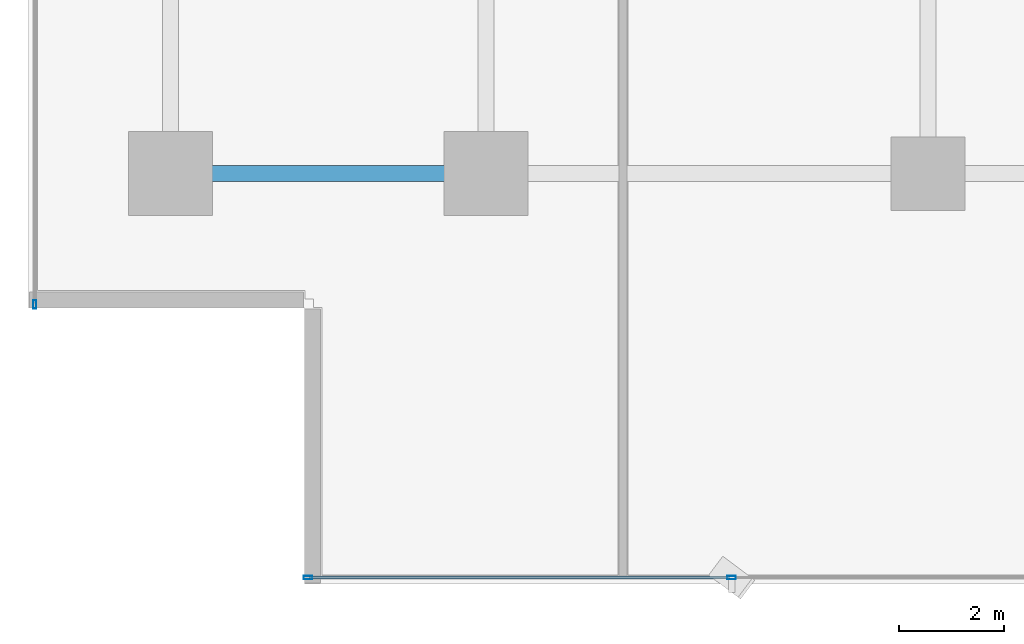
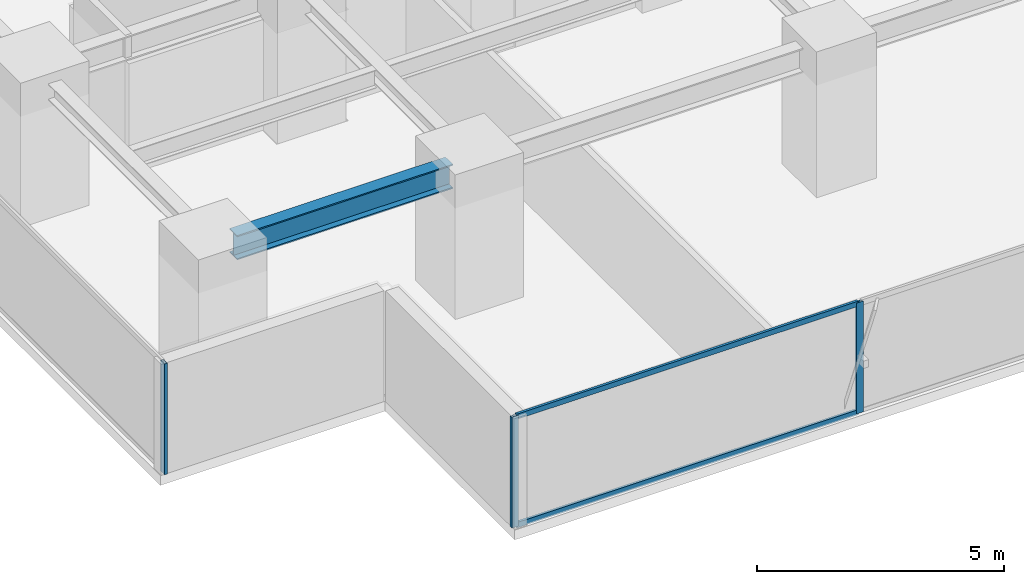
# One storey, part 2 of 36: 5 members, 1 beam, 2 elements without a shape of their own.
"""IFC4 building model written with IfcOpenShell, lengths in metres."""

from ifc_helpers import new_model, si_unit, direction, frame, origin, origin_2d, place, context, subcontext, project, spatial, hollow_rectangle, i_section, extrude, source, transform, mapped, material, layer, layer_set, material_profile, profile_set, type_object, element, aggregate, save


model = new_model("IFC4")

# Units and contexts
model_context = context("Model", 3, precision=1e-05, world=origin(), true_north=direction((0.0, 1.0)))
body_context = subcontext(model_context, "Body", "Model", "MODEL_VIEW")
ifc_project = project(units=[si_unit("LENGTHUNIT", "METRE"), si_unit("AREAUNIT", "SQUARE_METRE"), si_unit("VOLUMEUNIT", "CUBIC_METRE"), si_unit("PLANEANGLEUNIT", "RADIAN"), si_unit("MASSUNIT", "GRAM", prefix="KILO")], contexts=[model_context])

# Site, building, storey
site_placement = place(None, origin())
site = spatial("IfcSite", under=ifc_project, at=site_placement, CompositionType="ELEMENT")
building_placement = place(site_placement, origin())
building = spatial("IfcBuilding", under=site, at=building_placement, Name="Sumidabori Civic Tower", CompositionType="ELEMENT")
storey_placement = place(building_placement, frame((0.0, 0.0, 92.0)))
storey = spatial("IfcBuildingStorey", under=building, at=storey_placement, Name="L23", CompositionType="ELEMENT", Elevation=92.0)

# Beam
ifc_material_1 = material(Name="Steel SN490", Category="steel")
ifc_material_profile_1 = material_profile(ifc_material_1, i_section(OverallWidth=0.300048828125, OverallDepth=0.60009765625, WebThickness=0.015380859375, FlangeThickness=0.030029296875, at=origin_2d()), Name="HE 600 B")
ifc_profile_set_1 = profile_set([ifc_material_profile_1], Name="Steel SN490")
beam_type = type_object("IfcBeamType", Name="BM-GIRD-600", PredefinedType="BEAM", material=ifc_profile_set_1)
shared_shape_1 = source(origin(), body_context, "Body", "SweptSolid", [
    extrude(i_section(OverallWidth=0.300048828125, OverallDepth=0.60009765625, WebThickness=0.015380859375, FlangeThickness=0.030029296875, at=origin_2d()), origin(), (0.0, 0.0, 1.0), 5.0400390625),
])
beam_placement = place(storey_placement, frame((-22.320068359375, -18.0, 3.06005859375), z_axis=(1.0, 0.0, 0.0), x_axis=(0.0, 1.0, 0.0)))
element("IfcBeam", 1, at=beam_placement, inside=storey, type_object=beam_type, Name="Primary Girder L23 GX-01", PredefinedType="BEAM", context=body_context, shape_type="MappedRepresentation", body=[
    mapped(shared_shape_1, transform((0.0, 0.0, 0.0), x_axis=(1.0, 0.0, 0.0), y_axis=(0.0, 1.0, 0.0), z_axis=(0.0, 0.0, 1.0), scale=1.0)),
])

# Curtain wall, members
ifc_material_2 = material(Name="Anodised Bronze Aluminium AW-6063-T6", Category="aluminium")
ifc_layer = layer(ifc_material_2, 0.179931640625, Name="Anodised Bronze Aluminium AW-6063-T6")
ifc_layer_set = layer_set([ifc_layer], Name="Anodised Bronze Aluminium AW-6063-T6")
curtain_wall_type = type_object("IfcCurtainWallType", Name="CW-SYS-3", PredefinedType="NOTDEFINED", material=ifc_layer_set)
curtain_wall_1_placement = place(storey_placement, origin())
curtain_wall_1 = element("IfcCurtainWall", 2, at=curtain_wall_1_placement, inside=storey, type_object=curtain_wall_type, Name="Curtain Wall CW:L23:R01", PredefinedType="NOTDEFINED")
ifc_material_profile_2 = material_profile(ifc_material_2, hollow_rectangle(XDim=0.06494140625, YDim=0.159912109375, WallThickness=0.0048828125, at=origin_2d()), Name="ALU MULLION 160x65")
ifc_profile_set_2 = profile_set([ifc_material_profile_2], Name="Anodised Bronze Aluminium AW-6063-T6")
member_type_1 = type_object("IfcMemberType", Name="CW-MUL-160", PredefinedType="MULLION", material=ifc_profile_set_2)
shared_shape_2 = source(origin(), body_context, "Body", "SweptSolid", [
    extrude(hollow_rectangle(XDim=0.06494140625, YDim=0.159912109375, WallThickness=0.0048828125, at=origin_2d()), origin(), (0.0, 0.0, 1.0), 2.739990234375),
])
member_1_placement = place(storey_placement, frame((-20.1875, -25.679931640625, 0.0), z_axis=(0.0, 0.0, 1.0), x_axis=(0.0, 1.0, 0.0)))
member_1 = element("IfcMember", 3, at=member_1_placement, type_object=member_type_1, Name="CW-3 mullion 1", PredefinedType="MULLION", context=body_context, shape_type="MappedRepresentation", body=[
    mapped(shared_shape_2, transform((0.0, 0.0, 0.0), x_axis=(1.0, 0.0, 0.0), y_axis=(0.0, 1.0, 0.0), z_axis=(0.0, 0.0, 1.0), scale=1.0)),
])
member_2_placement = place(storey_placement, frame((-12.132080078125, -25.679931640625, 0.0), z_axis=(0.0, 0.0, 1.0), x_axis=(0.0, 1.0, 0.0)))
member_2 = element("IfcMember", 4, at=member_2_placement, type_object=member_type_1, Name="CW-3 mullion 2", PredefinedType="MULLION", context=body_context, shape_type="MappedRepresentation", body=[
    mapped(shared_shape_2, transform((0.0, 0.0, 0.0), x_axis=(1.0, 0.0, 0.0), y_axis=(0.0, 1.0, 0.0), z_axis=(0.0, 0.0, 1.0), scale=1.0)),
])

# Curtain wall, member
curtain_wall_2_placement = place(storey_placement, origin())
curtain_wall_2 = element("IfcCurtainWall", 5, at=curtain_wall_2_placement, inside=storey, type_object=curtain_wall_type, Name="Curtain Wall CW:L23:R10", PredefinedType="NOTDEFINED")
member_3_placement = place(storey_placement, frame((-25.3798828125, -20.487548828125, 0.0), z_axis=(0.0, 0.0, 1.0), x_axis=(1.0, 0.0, 0.0)))
member_3 = element("IfcMember", 6, at=member_3_placement, type_object=member_type_1, Name="CW-3 mullion 6", PredefinedType="MULLION", context=body_context, shape_type="MappedRepresentation", body=[
    mapped(shared_shape_2, transform((0.0, 0.0, 0.0), x_axis=(1.0, 0.0, 0.0), y_axis=(0.0, 1.0, 0.0), z_axis=(0.0, 0.0, 1.0), scale=1.0)),
])
aggregate(curtain_wall_2, [member_3])

# Member
ifc_material_profile_3 = material_profile(ifc_material_2, hollow_rectangle(XDim=0.06005859375, YDim=0.1298828125, WallThickness=0.0048828125, at=origin_2d()), Name="ALU TRANSOM 130x60")
ifc_profile_set_3 = profile_set([ifc_material_profile_3], Name="Anodised Bronze Aluminium AW-6063-T6")
member_type_2 = type_object("IfcMemberType", Name="CW-TRN-130", PredefinedType="USERDEFINED", material=ifc_profile_set_3)
shared_shape_3 = source(origin(), body_context, "Body", "SweptSolid", [
    extrude(hollow_rectangle(XDim=0.06005859375, YDim=0.1298828125, WallThickness=0.0048828125, at=origin_2d()), origin(), (0.0, 0.0, 1.0), 7.990478515625),
])
member_4_placement = place(storey_placement, frame((-20.155029296875, -25.679931640625, 0.030029296875), z_axis=(1.0, 0.0, 0.0), x_axis=(0.0, 1.0, 0.0)))
member_4 = element("IfcMember", 7, at=member_4_placement, type_object=member_type_2, Name="CW-3 transom 1.1", ObjectType="TRANSOM", PredefinedType="USERDEFINED", context=body_context, shape_type="MappedRepresentation", body=[
    mapped(shared_shape_3, transform((0.0, 0.0, 0.0), x_axis=(1.0, 0.0, 0.0), y_axis=(0.0, 1.0, 0.0), z_axis=(0.0, 0.0, 1.0), scale=1.0)),
])

member_5_placement = place(storey_placement, frame((-20.155029296875, -25.679931640625, 2.7099609375), z_axis=(1.0, 0.0, 0.0), x_axis=(0.0, 1.0, 0.0)))
member_5 = element("IfcMember", 8, at=member_5_placement, type_object=member_type_2, Name="CW-3 transom 1.2", ObjectType="TRANSOM", PredefinedType="USERDEFINED", context=body_context, shape_type="MappedRepresentation", body=[
    mapped(shared_shape_3, transform((0.0, 0.0, 0.0), x_axis=(1.0, 0.0, 0.0), y_axis=(0.0, 1.0, 0.0), z_axis=(0.0, 0.0, 1.0), scale=1.0)),
])

aggregate(curtain_wall_1, [member_1, member_2, member_4, member_5])

save(model, "model.ifc")
